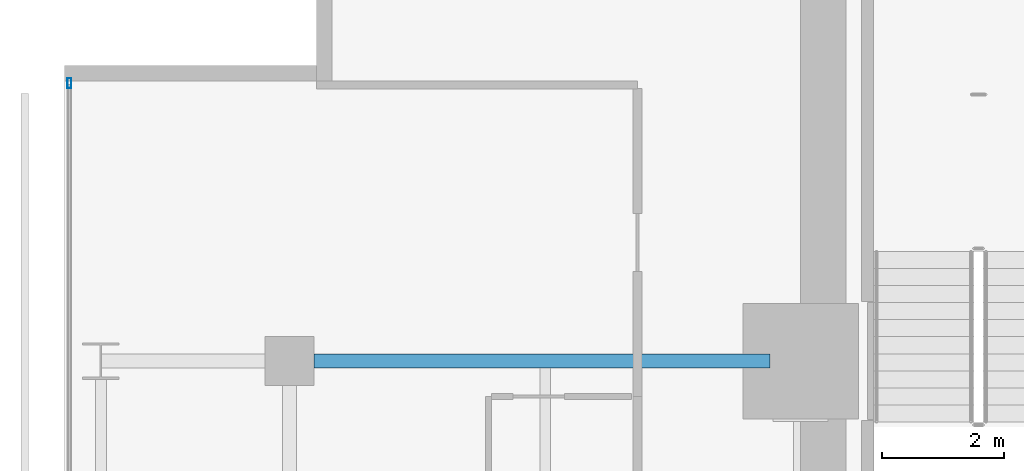
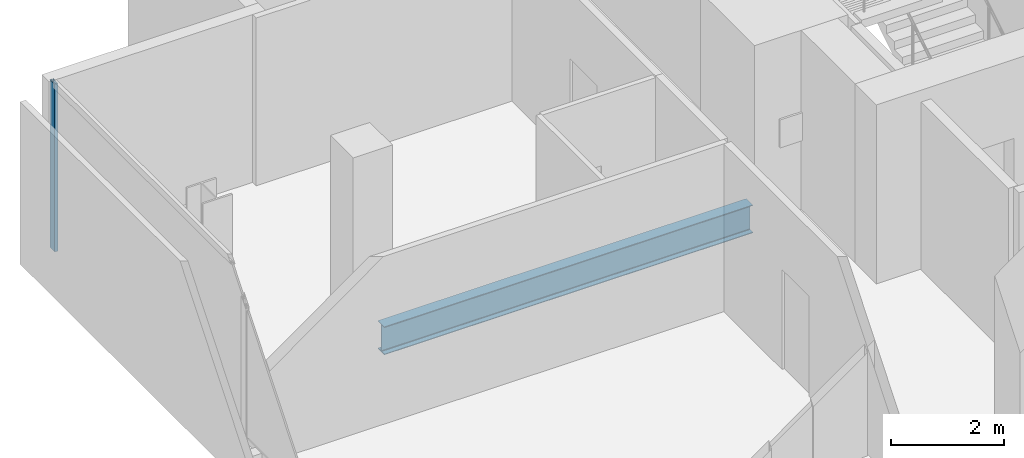
# One storey, part 20 of 33: 1 beam, 1 member, 1 element without a shape of its own.
"""IFC4 building model written with IfcOpenShell, lengths in metres."""

from ifc_helpers import new_model, si_unit, direction, frame, origin, origin_2d, place, context, subcontext, project, spatial, hollow_rectangle, i_section, extrude, material, layer, layer_set, material_profile, profile_set, type_object, element, aggregate, save


model = new_model("IFC4")

# Units and contexts
model_context = context("Model", 3, precision=1e-05, world=origin(), true_north=direction((0.0, 1.0)))
body_context = subcontext(model_context, "Body", "Model", "MODEL_VIEW")
ifc_project = project(units=[si_unit("LENGTHUNIT", "METRE"), si_unit("AREAUNIT", "SQUARE_METRE"), si_unit("VOLUMEUNIT", "CUBIC_METRE"), si_unit("PLANEANGLEUNIT", "RADIAN"), si_unit("MASSUNIT", "GRAM", prefix="KILO")], contexts=[model_context])

# Site, building, storey
site_placement = place(None, origin())
site = spatial("IfcSite", under=ifc_project, at=site_placement, CompositionType="ELEMENT")
building_placement = place(site_placement, origin())
building = spatial("IfcBuilding", under=site, at=building_placement, Name="Maruvema Waterfront Hotel and Observation Tower", CompositionType="ELEMENT")
storey_placement = place(building_placement, frame((0.0, 0.0, 158.199951171875)))
storey = spatial("IfcBuildingStorey", under=building, at=storey_placement, Name="L38", CompositionType="ELEMENT", Elevation=158.199951171875)

# Curtain wall, member
ifc_material_1 = material(Name="Anodised bronze aluminium and solar-control low-E IGU", Category="aluminium")
ifc_layer = layer(ifc_material_1, 0.159912109375, Name="Zone 2 Amber Inner Thermal Curtain Wall System CW-03")
ifc_layer_set = layer_set([ifc_layer], Name="Anodised bronze aluminium and solar-control low-E IGU")
curtain_wall_type = type_object("IfcCurtainWallType", Name="Zone 2 Amber Inner Thermal Curtain Wall System CW-03", PredefinedType="USERDEFINED", material=ifc_layer_set)
curtain_wall_placement = place(storey_placement, origin())
curtain_wall = element("IfcCurtainWall", 1, at=curtain_wall_placement, inside=storey, type_object=curtain_wall_type, Name="L38 Curtain Wall CW-L38-W", ObjectType="UNITISED CURTAIN WALL", PredefinedType="USERDEFINED")
ifc_material_2 = material(Name="Anodised architectural bronze aluminium", Category="aluminium")
ifc_material_profile_1 = material_profile(ifc_material_2, hollow_rectangle(XDim=0.06494140625, YDim=0.1650390625, WallThickness=0.00390625, at=origin_2d()), Name="ALU-M65x165")
ifc_profile_set_1 = profile_set([ifc_material_profile_1], Name="Anodised architectural bronze aluminium")
member_type = type_object("IfcMemberType", Name="Curtain Wall Primary Mullion ALU-M65x165", PredefinedType="MULLION", material=ifc_profile_set_1)
member_placement = place(storey_placement, frame((13.179931640625, 49.570068359375, 0.0), z_axis=(0.0, 0.0, 1.0), x_axis=(1.0, 0.0, 0.0)))
member = element("IfcMember", 2, at=member_placement, type_object=member_type, Name="CW-03 mullion 1", PredefinedType="MULLION", context=body_context, shape_type="SweptSolid", body=[
    extrude(hollow_rectangle(XDim=0.06494140625, YDim=0.1650390625, WallThickness=0.00390625, at=origin_2d()), origin(), (0.0, 0.0, 1.0), 3.610107421875),
])
aggregate(curtain_wall, [member])

# Beam
ifc_material_3 = material(Name="Steel ASTM A572 Grade 50", Category="steel")
ifc_material_profile_2 = material_profile(ifc_material_3, i_section(OverallWidth=0.22802734375, OverallDepth=0.60302734375, WebThickness=0.010498046875, FlangeThickness=0.014892578125, FilletRadius=0.01806640625, at=origin_2d()), Name="W610x101.0")
ifc_profile_set_2 = profile_set([ifc_material_profile_2], Name="Steel ASTM A572 Grade 50")
beam_type = type_object("IfcBeamType", Name="Primary Floor Girder W610x101.0", PredefinedType="BEAM", material=ifc_profile_set_2)
beam_placement = place(storey_placement, frame((17.199951171875, 45.0, -0.54150390625), z_axis=(1.0, 0.0, 0.0), x_axis=(0.0, 1.0, 0.0)))
element("IfcBeam", 3, at=beam_placement, inside=storey, type_object=beam_type, Name="L38 Floor Girder EW-31", PredefinedType="BEAM", context=body_context, shape_type="SweptSolid", body=[
    extrude(i_section(OverallWidth=0.22802734375, OverallDepth=0.60302734375, WebThickness=0.010498046875, FlangeThickness=0.014892578125, FilletRadius=0.01806640625, at=origin_2d()), origin(), (0.0, 0.0, 1.0), 7.5),
])

save(model, "model.ifc")
